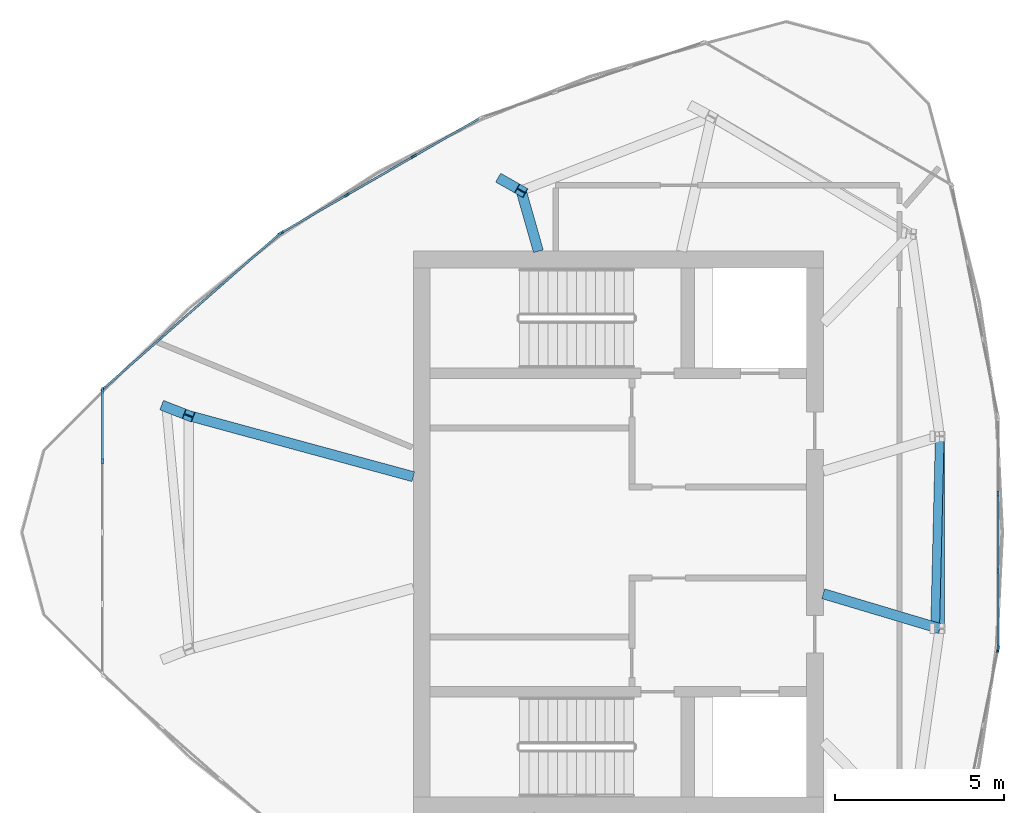
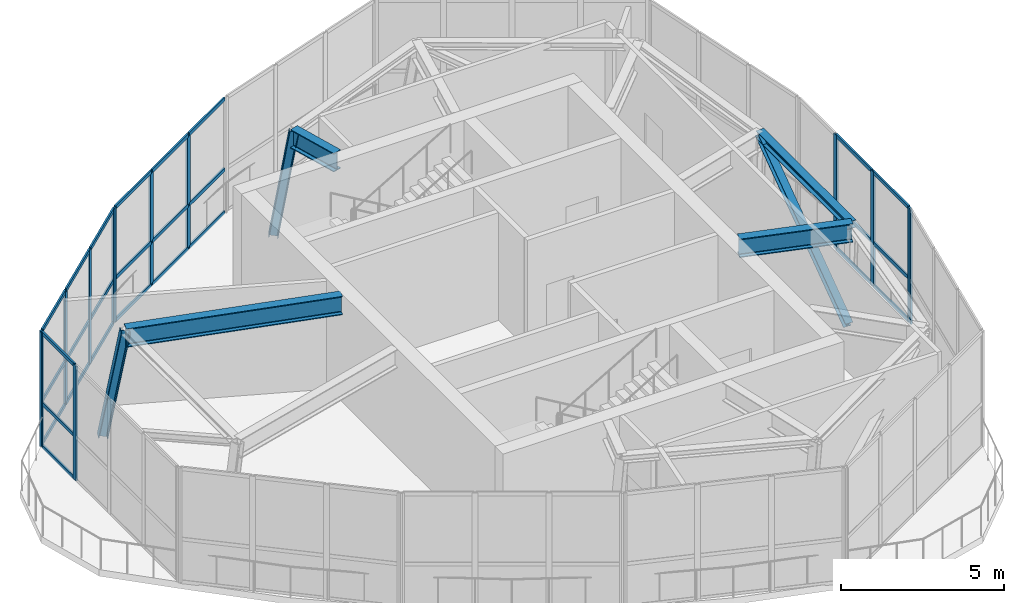
# One storey, part 3 of 10: 44 members, 3 beams, 5 elements without a shape of their own.
"""IFC4 building model written with IfcOpenShell, lengths in metres."""

from ifc_helpers import new_model, si_unit, direction, frame, origin, origin_2d, place, context, subcontext, project, spatial, rectangle, i_section, extrude, source, transform, mapped, material, layer, layer_set, material_profile, profile_set, type_object, element, aggregate, save


model = new_model("IFC4")

# Units and contexts
model_context = context("Model", 3, precision=1e-05, world=origin(), true_north=direction((0.0, 1.0)))
body_context = subcontext(model_context, "Body", "Model", "MODEL_VIEW")
ifc_project = project(units=[si_unit("LENGTHUNIT", "METRE"), si_unit("AREAUNIT", "SQUARE_METRE"), si_unit("VOLUMEUNIT", "CUBIC_METRE"), si_unit("PLANEANGLEUNIT", "RADIAN"), si_unit("MASSUNIT", "GRAM", prefix="KILO")], contexts=[model_context])

# Site, building, storey
site_placement = place(None, origin())
site = spatial("IfcSite", under=ifc_project, at=site_placement, CompositionType="ELEMENT")
building_placement = place(site_placement, origin())
building = spatial("IfcBuilding", under=site, at=building_placement, Name="Qafzar Sky-Pleat Residences", CompositionType="ELEMENT")
storey_placement = place(building_placement, frame((0.0, 0.0, 261.800048828125)))
storey = spatial("IfcBuildingStorey", under=building, at=storey_placement, Name="L78 Crown", CompositionType="ELEMENT", Elevation=261.800048828125)

# Members
ifc_material_1 = material(Name="Steel S460", Category="steel")
ifc_material_profile_1 = material_profile(ifc_material_1, i_section(OverallWidth=0.300048828125, OverallDepth=0.300048828125, WebThickness=0.010986328125, FlangeThickness=0.01904296875, FilletRadius=0.027099609375, at=origin_2d()), Name="HEB 300")
ifc_profile_set_1 = profile_set([ifc_material_profile_1], Name="Steel S460")
member_type_1 = type_object("IfcMemberType", Name="MEM-CROWN-RIB", PredefinedType="CHORD", material=ifc_profile_set_1)
shared_shape_1 = source(origin(), body_context, "Body", "SweptSolid", [
    extrude(i_section(OverallWidth=0.300048828125, OverallDepth=0.300048828125, WebThickness=0.010986328125, FlangeThickness=0.01904296875, FilletRadius=0.027099609375, at=origin_2d()), origin(), (0.0, 0.0, 1.0), 3.95947265625),
])
member_1_placement = place(storey_placement, frame((17.010498046875, 29.706298828125, 0.0), z_axis=(0.166110846077, -0.06498917289, 0.983963207759), x_axis=(0.364347212595, 0.931263179061, 0.0)))
element("IfcMember", 1, at=member_1_placement, inside=storey, type_object=member_type_1, Name="L78 Crown CROWN FRAME Inclined Rib 1", PredefinedType="CHORD", context=body_context, shape_type="MappedRepresentation", body=[
    mapped(shared_shape_1, transform((0.0, 0.0, 0.0), x_axis=(1.0, 0.0, 0.0), y_axis=(0.0, 1.0, 0.0), z_axis=(0.0, 0.0, 1.0), scale=1.0)),
])
shared_shape_2 = source(origin(), body_context, "Body", "SweptSolid", [
    extrude(i_section(OverallWidth=0.300048828125, OverallDepth=0.300048828125, WebThickness=0.010986328125, FlangeThickness=0.01904296875, FilletRadius=0.027099609375, at=origin_2d()), origin(), (0.0, 0.0, 1.0), 3.947265625),
])
member_2_placement = place(storey_placement, frame((26.93310546875, 36.399169921875, 0.0), z_axis=(0.139718338634, -0.079476788466, 0.986996568355), x_axis=(0.494439048005, 0.86921230307, 0.0)))
element("IfcMember", 2, at=member_2_placement, inside=storey, type_object=member_type_1, Name="L78 Crown CROWN FRAME Inclined Rib 11", PredefinedType="CHORD", context=body_context, shape_type="MappedRepresentation", body=[
    mapped(shared_shape_2, transform((0.0, 0.0, 0.0), x_axis=(1.0, 0.0, 0.0), y_axis=(0.0, 1.0, 0.0), z_axis=(0.0, 0.0, 1.0), scale=1.0)),
])
ifc_material_2 = material(Name="Steel S355", Category="steel")
ifc_material_profile_2 = material_profile(ifc_material_2, i_section(OverallWidth=0.280029296875, OverallDepth=0.280029296875, WebThickness=0.010498046875, FlangeThickness=0.01806640625, FilletRadius=0.02392578125, at=origin_2d()), Name="HEB 280")
ifc_profile_set_2 = profile_set([ifc_material_profile_2], Name="Steel S355")
member_type_2 = type_object("IfcMemberType", Name="MEM-CROWN-RING", PredefinedType="PURLIN", material=ifc_profile_set_2)
shared_shape_3 = source(origin(), body_context, "Body", "SweptSolid", [
    extrude(i_section(OverallWidth=0.280029296875, OverallDepth=0.280029296875, WebThickness=0.010498046875, FlangeThickness=0.01806640625, FilletRadius=0.02392578125, at=origin_2d()), origin(), (0.0, 0.0, 1.0), 5.671875),
])
member_3_placement = place(storey_placement, frame((39.837158203125, 23.1640625, 3.906005859375), z_axis=(0.0, 1.0, 0.0), x_axis=(-1.0, 0.0, 0.0)))
element("IfcMember", 3, at=member_3_placement, inside=storey, type_object=member_type_2, Name="L78 Crown CROWN FRAME Ring Beam 7", PredefinedType="PURLIN", context=body_context, shape_type="MappedRepresentation", body=[
    mapped(shared_shape_3, transform((0.0, 0.0, 0.0), x_axis=(1.0, 0.0, 0.0), y_axis=(0.0, 1.0, 0.0), z_axis=(0.0, 0.0, 1.0), scale=1.0)),
])
ifc_material_profile_3 = material_profile(ifc_material_2, i_section(OverallWidth=0.260009765625, OverallDepth=0.260009765625, WebThickness=0.010009765625, FlangeThickness=0.017578125, FilletRadius=0.02392578125, at=origin_2d()), Name="HEB 260")
ifc_profile_set_3 = profile_set([ifc_material_profile_3], Name="Steel S355")
member_type_3 = type_object("IfcMemberType", Name="MEM-CROWN-DIAG", PredefinedType="BRACE", material=ifc_profile_set_3)
shared_shape_4 = source(origin(), body_context, "Body", "SweptSolid", [
    extrude(i_section(OverallWidth=0.260009765625, OverallDepth=0.260009765625, WebThickness=0.010009765625, FlangeThickness=0.017578125, FilletRadius=0.02392578125, at=origin_2d()), origin(), (0.0, 0.0, 1.0), 6.783203125),
])
member_4_placement = place(storey_placement, frame((39.70068359375, 23.162841796875, 0.199951171875), z_axis=(0.020119508415, 0.836345289888, 0.54783369873), x_axis=(-0.999710768856, 0.0240495038, 0.0)))
element("IfcMember", 4, at=member_4_placement, inside=storey, type_object=member_type_3, Name="L78 Crown CROWN FRAME Wind Brace 7", PredefinedType="BRACE", context=body_context, shape_type="MappedRepresentation", body=[
    mapped(shared_shape_4, transform((0.0, 0.0, 0.0), x_axis=(1.0, 0.0, 0.0), y_axis=(0.0, 1.0, 0.0), z_axis=(0.0, 0.0, 1.0), scale=1.0)),
])

# Beams
ifc_material_profile_4 = material_profile(ifc_material_1, i_section(OverallWidth=0.300048828125, OverallDepth=0.699951171875, WebThickness=0.01708984375, FlangeThickness=0.031982421875, FilletRadius=0.027099609375, at=origin_2d()), Name="HEB 700")
ifc_profile_set_4 = profile_set([ifc_material_profile_4], Name="Steel S460")
beam_type = type_object("IfcBeamType", Name="BM-CHORD-HEB700", PredefinedType="BEAM", material=ifc_profile_set_4)
shared_shape_5 = source(origin(), body_context, "Body", "SweptSolid", [
    extrude(i_section(OverallWidth=0.300048828125, OverallDepth=0.699951171875, WebThickness=0.01708984375, FlangeThickness=0.031982421875, FilletRadius=0.027099609375, at=origin_2d()), origin(), (0.0, 0.0, 1.0), 6.872802734375),
])
beam_1_placement = place(storey_placement, frame((17.668212890625, 29.448974609375, 3.697998046875), z_axis=(0.964947212963, -0.262444043932, 0.0), x_axis=(0.262444043932, 0.964947212963, 0.0)))
element("IfcBeam", 5, at=beam_1_placement, inside=storey, type_object=beam_type, Name="L79 Crown Crown Rib Base Transfer Beam 1", PredefinedType="BEAM", context=body_context, shape_type="MappedRepresentation", body=[
    mapped(shared_shape_5, transform((0.0, 0.0, 0.0), x_axis=(1.0, 0.0, 0.0), y_axis=(0.0, 1.0, 0.0), z_axis=(0.0, 0.0, 1.0), scale=1.0)),
])
shared_shape_6 = source(origin(), body_context, "Body", "SweptSolid", [
    extrude(i_section(OverallWidth=0.300048828125, OverallDepth=0.699951171875, WebThickness=0.01708984375, FlangeThickness=0.031982421875, FilletRadius=0.027099609375, at=origin_2d()), origin(), (0.0, 0.0, 1.0), 1.85595703125),
])
beam_2_placement = place(storey_placement, frame((27.484619140625, 36.08544921875, 3.697998046875), z_axis=(0.273209315348, -0.96195460912, 0.0), x_axis=(0.96195460912, 0.273209315348, 0.0)))
element("IfcBeam", 6, at=beam_2_placement, inside=storey, type_object=beam_type, Name="L79 Crown Crown Rib Base Transfer Beam 11", PredefinedType="BEAM", context=body_context, shape_type="MappedRepresentation", body=[
    mapped(shared_shape_6, transform((0.0, 0.0, 0.0), x_axis=(1.0, 0.0, 0.0), y_axis=(0.0, 1.0, 0.0), z_axis=(0.0, 0.0, 1.0), scale=1.0)),
])
shared_shape_7 = source(origin(), body_context, "Body", "SweptSolid", [
    extrude(i_section(OverallWidth=0.300048828125, OverallDepth=0.699951171875, WebThickness=0.01708984375, FlangeThickness=0.031982421875, FilletRadius=0.027099609375, at=origin_2d()), origin(), (0.0, 0.0, 1.0), 3.58740234375),
])
beam_3_placement = place(storey_placement, frame((39.837158203125, 23.1640625, 3.697998046875), z_axis=(-0.958119848048, 0.286367520462, 0.0), x_axis=(-0.286367520462, -0.958119848048, 0.0)))
element("IfcBeam", 7, at=beam_3_placement, inside=storey, type_object=beam_type, Name="L79 Crown Crown Rib Base Transfer Beam 7", PredefinedType="BEAM", context=body_context, shape_type="MappedRepresentation", body=[
    mapped(shared_shape_7, transform((0.0, 0.0, 0.0), x_axis=(1.0, 0.0, 0.0), y_axis=(0.0, 1.0, 0.0), z_axis=(0.0, 0.0, 1.0), scale=1.0)),
])

# Curtain wall, members
ifc_material_3 = material(Name="Anodised bronze aluminium framing", Category="aluminium")
ifc_layer = layer(ifc_material_3, 0.179931640625)
ifc_layer_set = layer_set([ifc_layer], Name="Anodised bronze aluminium framing")
curtain_wall_type = type_object("IfcCurtainWallType", Name="CW-SYS-06", PredefinedType="NOTDEFINED", material=ifc_layer_set)
curtain_wall_1_placement = place(storey_placement, origin())
curtain_wall_1 = element("IfcCurtainWall", 8, at=curtain_wall_1_placement, inside=storey, type_object=curtain_wall_type, Name="L78 Crown CW-06 Curtain Wall CW-CROWN-03-01", PredefinedType="NOTDEFINED")
ifc_material_4 = material(Name="Anodised bronze aluminium", Category="aluminium")
ifc_material_profile_5 = material_profile(ifc_material_4, rectangle(XDim=0.06005859375, YDim=0.179931640625, at=origin_2d()), Name="ALU MULLION 60x180")
ifc_profile_set_5 = profile_set([ifc_material_profile_5], Name="Anodised bronze aluminium")
member_type_4 = type_object("IfcMemberType", Name="CWM-06", PredefinedType="MULLION", material=ifc_profile_set_5)
shared_shape_8 = source(origin(), body_context, "Body", "SweptSolid", [
    extrude(rectangle(XDim=0.06005859375, YDim=0.179931640625, at=origin_2d()), origin(), (0.0, 0.0, 1.0), 4.300048828125),
])
member_5_placement = place(storey_placement, frame((15.12939453125, 30.189208984375, 0.0), z_axis=(0.0, 0.0, 1.0), x_axis=(1.0, 0.0, 0.0)))
member_5 = element("IfcMember", 9, at=member_5_placement, type_object=member_type_4, Name="CW-06 mullion 1", PredefinedType="MULLION", context=body_context, shape_type="MappedRepresentation", body=[
    mapped(shared_shape_8, transform((0.0, 0.0, 0.0), x_axis=(1.0, 0.0, 0.0), y_axis=(0.0, 1.0, 0.0), z_axis=(0.0, 0.0, 1.0), scale=1.0)),
])
member_6_placement = place(storey_placement, frame((15.12939453125, 28.109619140625, 0.0), z_axis=(0.0, 0.0, 1.0), x_axis=(1.0, 0.0, 0.0)))
member_6 = element("IfcMember", 10, at=member_6_placement, type_object=member_type_4, Name="CW-06 mullion 2", PredefinedType="MULLION", context=body_context, shape_type="MappedRepresentation", body=[
    mapped(shared_shape_8, transform((0.0, 0.0, 0.0), x_axis=(1.0, 0.0, 0.0), y_axis=(0.0, 1.0, 0.0), z_axis=(0.0, 0.0, 1.0), scale=1.0)),
])

# Curtain wall, member
curtain_wall_2_placement = place(storey_placement, origin())
curtain_wall_2 = element("IfcCurtainWall", 11, at=curtain_wall_2_placement, inside=storey, type_object=curtain_wall_type, Name="L78 Crown CW-06 Curtain Wall CW-CROWN-03-06", PredefinedType="NOTDEFINED")
member_7_placement = place(storey_placement, frame((41.556396484375, 22.552978515625, 0.0), z_axis=(0.0, 0.0, 1.0), x_axis=(-0.980581227468, 0.196113376234, 0.0)))
member_7 = element("IfcMember", 12, at=member_7_placement, type_object=member_type_4, Name="CW-06 mullion 4", PredefinedType="MULLION", context=body_context, shape_type="MappedRepresentation", body=[
    mapped(shared_shape_8, transform((0.0, 0.0, 0.0), x_axis=(1.0, 0.0, 0.0), y_axis=(0.0, 1.0, 0.0), z_axis=(0.0, 0.0, 1.0), scale=1.0)),
])
aggregate(curtain_wall_2, [member_7])

# Curtain wall, members
curtain_wall_3_placement = place(storey_placement, origin())
curtain_wall_3 = element("IfcCurtainWall", 13, at=curtain_wall_3_placement, inside=storey, type_object=curtain_wall_type, Name="L78 Crown CW-06 Curtain Wall CW-CROWN-03-07", PredefinedType="NOTDEFINED")
member_8_placement = place(storey_placement, frame((41.5625, 22.612548828125, 0.0), z_axis=(0.0, 0.0, 1.0), x_axis=(-1.0, 0.0, 0.0)))
member_8 = element("IfcMember", 14, at=member_8_placement, type_object=member_type_4, Name="CW-06 mullion 1", PredefinedType="MULLION", context=body_context, shape_type="MappedRepresentation", body=[
    mapped(shared_shape_8, transform((0.0, 0.0, 0.0), x_axis=(1.0, 0.0, 0.0), y_axis=(0.0, 1.0, 0.0), z_axis=(0.0, 0.0, 1.0), scale=1.0)),
])
member_9_placement = place(storey_placement, frame((41.5625, 24.86083984375, 0.0), z_axis=(0.0, 0.0, 1.0), x_axis=(-1.0, 0.0, 0.0)))
member_9 = element("IfcMember", 15, at=member_9_placement, type_object=member_type_4, Name="CW-06 mullion 2", PredefinedType="MULLION", context=body_context, shape_type="MappedRepresentation", body=[
    mapped(shared_shape_8, transform((0.0, 0.0, 0.0), x_axis=(1.0, 0.0, 0.0), y_axis=(0.0, 1.0, 0.0), z_axis=(0.0, 0.0, 1.0), scale=1.0)),
])
member_10_placement = place(storey_placement, frame((41.5625, 27.13916015625, 0.0), z_axis=(0.0, 0.0, 1.0), x_axis=(-1.0, 0.0, 0.0)))
member_10 = element("IfcMember", 16, at=member_10_placement, type_object=member_type_4, Name="CW-06 mullion 3", PredefinedType="MULLION", context=body_context, shape_type="MappedRepresentation", body=[
    mapped(shared_shape_8, transform((0.0, 0.0, 0.0), x_axis=(1.0, 0.0, 0.0), y_axis=(0.0, 1.0, 0.0), z_axis=(0.0, 0.0, 1.0), scale=1.0)),
])

curtain_wall_4_placement = place(storey_placement, origin())
curtain_wall_4 = element("IfcCurtainWall", 17, at=curtain_wall_4_placement, inside=storey, type_object=curtain_wall_type, Name="L78 Crown CW-06 Curtain Wall CW-CROWN-03-11", PredefinedType="NOTDEFINED")
member_11_placement = place(storey_placement, frame((24.311279296875, 37.09912109375, 0.0), z_axis=(0.0, 0.0, 1.0), x_axis=(0.499992628097, -0.866029659913, 0.0)))
member_11 = element("IfcMember", 18, at=member_11_placement, type_object=member_type_4, Name="CW-06 mullion 2", PredefinedType="MULLION", context=body_context, shape_type="MappedRepresentation", body=[
    mapped(shared_shape_8, transform((0.0, 0.0, 0.0), x_axis=(1.0, 0.0, 0.0), y_axis=(0.0, 1.0, 0.0), z_axis=(0.0, 0.0, 1.0), scale=1.0)),
])
member_12_placement = place(storey_placement, frame((22.338134765625, 35.9599609375, 0.0), z_axis=(0.0, 0.0, 1.0), x_axis=(0.499992628097, -0.866029659913, 0.0)))
member_12 = element("IfcMember", 19, at=member_12_placement, type_object=member_type_4, Name="CW-06 mullion 3", PredefinedType="MULLION", context=body_context, shape_type="MappedRepresentation", body=[
    mapped(shared_shape_8, transform((0.0, 0.0, 0.0), x_axis=(1.0, 0.0, 0.0), y_axis=(0.0, 1.0, 0.0), z_axis=(0.0, 0.0, 1.0), scale=1.0)),
])
member_13_placement = place(storey_placement, frame((20.39111328125, 34.835693359375, 0.0), z_axis=(0.0, 0.0, 1.0), x_axis=(0.499992628097, -0.866029659913, 0.0)))
member_13 = element("IfcMember", 20, at=member_13_placement, type_object=member_type_4, Name="CW-06 mullion 4", PredefinedType="MULLION", context=body_context, shape_type="MappedRepresentation", body=[
    mapped(shared_shape_8, transform((0.0, 0.0, 0.0), x_axis=(1.0, 0.0, 0.0), y_axis=(0.0, 1.0, 0.0), z_axis=(0.0, 0.0, 1.0), scale=1.0)),
])

curtain_wall_5_placement = place(storey_placement, origin())
curtain_wall_5 = element("IfcCurtainWall", 21, at=curtain_wall_5_placement, inside=storey, type_object=curtain_wall_type, Name="L78 Crown CW-06 Curtain Wall CW-CROWN-03-12", PredefinedType="NOTDEFINED")
member_14_placement = place(storey_placement, frame((20.342529296875, 34.80078125, 0.0), z_axis=(0.0, 0.0, 1.0), x_axis=(0.660134231558, -0.751147652812, 0.0)))
member_14 = element("IfcMember", 22, at=member_14_placement, type_object=member_type_4, Name="CW-06 mullion 1", PredefinedType="MULLION", context=body_context, shape_type="MappedRepresentation", body=[
    mapped(shared_shape_8, transform((0.0, 0.0, 0.0), x_axis=(1.0, 0.0, 0.0), y_axis=(0.0, 1.0, 0.0), z_axis=(0.0, 0.0, 1.0), scale=1.0)),
])
member_15_placement = place(storey_placement, frame((18.619873046875, 33.286865234375, 0.0), z_axis=(0.0, 0.0, 1.0), x_axis=(0.660134231558, -0.751147652812, 0.0)))
member_15 = element("IfcMember", 23, at=member_15_placement, type_object=member_type_4, Name="CW-06 mullion 2", PredefinedType="MULLION", context=body_context, shape_type="MappedRepresentation", body=[
    mapped(shared_shape_8, transform((0.0, 0.0, 0.0), x_axis=(1.0, 0.0, 0.0), y_axis=(0.0, 1.0, 0.0), z_axis=(0.0, 0.0, 1.0), scale=1.0)),
])
member_16_placement = place(storey_placement, frame((16.87451171875, 31.753173828125, 0.0), z_axis=(0.0, 0.0, 1.0), x_axis=(0.660134231558, -0.751147652812, 0.0)))
member_16 = element("IfcMember", 24, at=member_16_placement, type_object=member_type_4, Name="CW-06 mullion 3", PredefinedType="MULLION", context=body_context, shape_type="MappedRepresentation", body=[
    mapped(shared_shape_8, transform((0.0, 0.0, 0.0), x_axis=(1.0, 0.0, 0.0), y_axis=(0.0, 1.0, 0.0), z_axis=(0.0, 0.0, 1.0), scale=1.0)),
])
member_17_placement = place(storey_placement, frame((15.15185546875, 30.239013671875, 0.0), z_axis=(0.0, 0.0, 1.0), x_axis=(0.660134231558, -0.751147652812, 0.0)))
member_17 = element("IfcMember", 25, at=member_17_placement, type_object=member_type_4, Name="CW-06 mullion 4", PredefinedType="MULLION", context=body_context, shape_type="MappedRepresentation", body=[
    mapped(shared_shape_8, transform((0.0, 0.0, 0.0), x_axis=(1.0, 0.0, 0.0), y_axis=(0.0, 1.0, 0.0), z_axis=(0.0, 0.0, 1.0), scale=1.0)),
])

# Member
ifc_material_profile_6 = material_profile(ifc_material_4, rectangle(XDim=0.06005859375, YDim=0.135009765625, at=origin_2d()), Name="ALU TRANSOM 60x135")
ifc_profile_set_6 = profile_set([ifc_material_profile_6], Name="Anodised bronze aluminium")
member_type_5 = type_object("IfcMemberType", Name="CWT-06", PredefinedType="USERDEFINED", material=ifc_profile_set_6)
shared_shape_9 = source(origin(), body_context, "Body", "SweptSolid", [
    extrude(rectangle(XDim=0.06005859375, YDim=0.135009765625, at=origin_2d()), origin(), (0.0, 0.0, 1.0), 2.01953125),
])
member_18_placement = place(storey_placement, frame((15.12939453125, 30.1591796875, 0.030029296875), z_axis=(0.0, -1.0, 0.0), x_axis=(1.0, 0.0, 0.0)))
member_18 = element("IfcMember", 26, at=member_18_placement, type_object=member_type_5, Name="CW-06 transom 1.1", ObjectType="TRANSOM", PredefinedType="USERDEFINED", context=body_context, shape_type="MappedRepresentation", body=[
    mapped(shared_shape_9, transform((0.0, 0.0, 0.0), x_axis=(1.0, 0.0, 0.0), y_axis=(0.0, 1.0, 0.0), z_axis=(0.0, 0.0, 1.0), scale=1.0)),
])

member_19_placement = place(storey_placement, frame((15.12939453125, 30.1591796875, 1.634033203125), z_axis=(0.0, -1.0, 0.0), x_axis=(1.0, 0.0, 0.0)))
member_19 = element("IfcMember", 27, at=member_19_placement, type_object=member_type_5, Name="CW-06 transom 1.2", ObjectType="TRANSOM", PredefinedType="USERDEFINED", context=body_context, shape_type="MappedRepresentation", body=[
    mapped(shared_shape_9, transform((0.0, 0.0, 0.0), x_axis=(1.0, 0.0, 0.0), y_axis=(0.0, 1.0, 0.0), z_axis=(0.0, 0.0, 1.0), scale=1.0)),
])

member_20_placement = place(storey_placement, frame((15.12939453125, 30.1591796875, 4.27001953125), z_axis=(0.0, -1.0, 0.0), x_axis=(1.0, 0.0, 0.0)))
member_20 = element("IfcMember", 28, at=member_20_placement, type_object=member_type_5, Name="CW-06 transom 1.3", ObjectType="TRANSOM", PredefinedType="USERDEFINED", context=body_context, shape_type="MappedRepresentation", body=[
    mapped(shared_shape_9, transform((0.0, 0.0, 0.0), x_axis=(1.0, 0.0, 0.0), y_axis=(0.0, 1.0, 0.0), z_axis=(0.0, 0.0, 1.0), scale=1.0)),
])

aggregate(curtain_wall_1, [member_5, member_6, member_18, member_19, member_20])

shared_shape_10 = source(origin(), body_context, "Body", "SweptSolid", [
    extrude(rectangle(XDim=0.06005859375, YDim=0.135009765625, at=origin_2d()), origin(), (0.0, 0.0, 1.0), 2.233642578125),
])
member_21_placement = place(storey_placement, frame((16.85205078125, 31.7333984375, 0.030029296875), z_axis=(-0.751112341266, -0.660174409378, 0.0), x_axis=(0.660174409378, -0.751112341266, 0.0)))
member_21 = element("IfcMember", 29, at=member_21_placement, type_object=member_type_5, Name="CW-06 transom 3.1", ObjectType="TRANSOM", PredefinedType="USERDEFINED", context=body_context, shape_type="MappedRepresentation", body=[
    mapped(shared_shape_10, transform((0.0, 0.0, 0.0), x_axis=(1.0, 0.0, 0.0), y_axis=(0.0, 1.0, 0.0), z_axis=(0.0, 0.0, 1.0), scale=1.0)),
])

member_22_placement = place(storey_placement, frame((16.85205078125, 31.7333984375, 1.634033203125), z_axis=(-0.751112341266, -0.660174409378, 0.0), x_axis=(0.660174409378, -0.751112341266, 0.0)))
member_22 = element("IfcMember", 30, at=member_22_placement, type_object=member_type_5, Name="CW-06 transom 3.2", ObjectType="TRANSOM", PredefinedType="USERDEFINED", context=body_context, shape_type="MappedRepresentation", body=[
    mapped(shared_shape_10, transform((0.0, 0.0, 0.0), x_axis=(1.0, 0.0, 0.0), y_axis=(0.0, 1.0, 0.0), z_axis=(0.0, 0.0, 1.0), scale=1.0)),
])

member_23_placement = place(storey_placement, frame((16.85205078125, 31.7333984375, 4.27001953125), z_axis=(-0.751112341266, -0.660174409378, 0.0), x_axis=(0.660174409378, -0.751112341266, 0.0)))
member_23 = element("IfcMember", 31, at=member_23_placement, type_object=member_type_5, Name="CW-06 transom 3.3", ObjectType="TRANSOM", PredefinedType="USERDEFINED", context=body_context, shape_type="MappedRepresentation", body=[
    mapped(shared_shape_10, transform((0.0, 0.0, 0.0), x_axis=(1.0, 0.0, 0.0), y_axis=(0.0, 1.0, 0.0), z_axis=(0.0, 0.0, 1.0), scale=1.0)),
])

shared_shape_11 = source(origin(), body_context, "Body", "SweptSolid", [
    extrude(rectangle(XDim=0.06005859375, YDim=0.135009765625, at=origin_2d()), origin(), (0.0, 0.0, 1.0), 2.263427734375),
])
member_24_placement = place(storey_placement, frame((18.597412109375, 33.26708984375, 0.030029296875), z_axis=(-0.751158415452, -0.66012198486, 0.0), x_axis=(0.66012198486, -0.751158415452, 0.0)))
member_24 = element("IfcMember", 32, at=member_24_placement, type_object=member_type_5, Name="CW-06 transom 2.1", ObjectType="TRANSOM", PredefinedType="USERDEFINED", context=body_context, shape_type="MappedRepresentation", body=[
    mapped(shared_shape_11, transform((0.0, 0.0, 0.0), x_axis=(1.0, 0.0, 0.0), y_axis=(0.0, 1.0, 0.0), z_axis=(0.0, 0.0, 1.0), scale=1.0)),
])

member_25_placement = place(storey_placement, frame((18.597412109375, 33.26708984375, 1.634033203125), z_axis=(-0.751158415452, -0.66012198486, 0.0), x_axis=(0.66012198486, -0.751158415452, 0.0)))
member_25 = element("IfcMember", 33, at=member_25_placement, type_object=member_type_5, Name="CW-06 transom 2.2", ObjectType="TRANSOM", PredefinedType="USERDEFINED", context=body_context, shape_type="MappedRepresentation", body=[
    mapped(shared_shape_11, transform((0.0, 0.0, 0.0), x_axis=(1.0, 0.0, 0.0), y_axis=(0.0, 1.0, 0.0), z_axis=(0.0, 0.0, 1.0), scale=1.0)),
])

member_26_placement = place(storey_placement, frame((18.597412109375, 33.26708984375, 4.27001953125), z_axis=(-0.751158415452, -0.66012198486, 0.0), x_axis=(0.66012198486, -0.751158415452, 0.0)))
member_26 = element("IfcMember", 34, at=member_26_placement, type_object=member_type_5, Name="CW-06 transom 2.3", ObjectType="TRANSOM", PredefinedType="USERDEFINED", context=body_context, shape_type="MappedRepresentation", body=[
    mapped(shared_shape_11, transform((0.0, 0.0, 0.0), x_axis=(1.0, 0.0, 0.0), y_axis=(0.0, 1.0, 0.0), z_axis=(0.0, 0.0, 1.0), scale=1.0)),
])

shared_shape_12 = source(origin(), body_context, "Body", "SweptSolid", [
    extrude(rectangle(XDim=0.06005859375, YDim=0.135009765625, at=origin_2d()), origin(), (0.0, 0.0, 1.0), 2.2333984375),
])
member_27_placement = place(storey_placement, frame((20.320068359375, 34.781005859375, 0.030029296875), z_axis=(-0.751166540904, -0.660112738725, 0.0), x_axis=(0.660112738725, -0.751166540904, 0.0)))
member_27 = element("IfcMember", 35, at=member_27_placement, type_object=member_type_5, Name="CW-06 transom 1.1", ObjectType="TRANSOM", PredefinedType="USERDEFINED", context=body_context, shape_type="MappedRepresentation", body=[
    mapped(shared_shape_12, transform((0.0, 0.0, 0.0), x_axis=(1.0, 0.0, 0.0), y_axis=(0.0, 1.0, 0.0), z_axis=(0.0, 0.0, 1.0), scale=1.0)),
])

member_28_placement = place(storey_placement, frame((20.320068359375, 34.781005859375, 1.634033203125), z_axis=(-0.751166540904, -0.660112738725, 0.0), x_axis=(0.660112738725, -0.751166540904, 0.0)))
member_28 = element("IfcMember", 36, at=member_28_placement, type_object=member_type_5, Name="CW-06 transom 1.2", ObjectType="TRANSOM", PredefinedType="USERDEFINED", context=body_context, shape_type="MappedRepresentation", body=[
    mapped(shared_shape_12, transform((0.0, 0.0, 0.0), x_axis=(1.0, 0.0, 0.0), y_axis=(0.0, 1.0, 0.0), z_axis=(0.0, 0.0, 1.0), scale=1.0)),
])

member_29_placement = place(storey_placement, frame((20.320068359375, 34.781005859375, 4.27001953125), z_axis=(-0.751166540904, -0.660112738725, 0.0), x_axis=(0.660112738725, -0.751166540904, 0.0)))
member_29 = element("IfcMember", 37, at=member_29_placement, type_object=member_type_5, Name="CW-06 transom 1.3", ObjectType="TRANSOM", PredefinedType="USERDEFINED", context=body_context, shape_type="MappedRepresentation", body=[
    mapped(shared_shape_12, transform((0.0, 0.0, 0.0), x_axis=(1.0, 0.0, 0.0), y_axis=(0.0, 1.0, 0.0), z_axis=(0.0, 0.0, 1.0), scale=1.0)),
])

aggregate(curtain_wall_5, [member_14, member_15, member_16, member_17, member_27, member_28, member_29, member_24, member_25, member_26, member_21, member_22, member_23])

shared_shape_13 = source(origin(), body_context, "Body", "SweptSolid", [
    extrude(rectangle(XDim=0.06005859375, YDim=0.135009765625, at=origin_2d()), origin(), (0.0, 0.0, 1.0), 2.1884765625),
])
member_30_placement = place(storey_placement, frame((22.312255859375, 35.94482421875, 0.030029296875), z_axis=(-0.86602396135, -0.500002498361, 0.0), x_axis=(0.500002498361, -0.86602396135, 0.0)))
member_30 = element("IfcMember", 38, at=member_30_placement, type_object=member_type_5, Name="CW-06 transom 3.1", ObjectType="TRANSOM", PredefinedType="USERDEFINED", context=body_context, shape_type="MappedRepresentation", body=[
    mapped(shared_shape_13, transform((0.0, 0.0, 0.0), x_axis=(1.0, 0.0, 0.0), y_axis=(0.0, 1.0, 0.0), z_axis=(0.0, 0.0, 1.0), scale=1.0)),
])

member_31_placement = place(storey_placement, frame((22.312255859375, 35.94482421875, 1.634033203125), z_axis=(-0.86602396135, -0.500002498361, 0.0), x_axis=(0.500002498361, -0.86602396135, 0.0)))
member_31 = element("IfcMember", 39, at=member_31_placement, type_object=member_type_5, Name="CW-06 transom 3.2", ObjectType="TRANSOM", PredefinedType="USERDEFINED", context=body_context, shape_type="MappedRepresentation", body=[
    mapped(shared_shape_13, transform((0.0, 0.0, 0.0), x_axis=(1.0, 0.0, 0.0), y_axis=(0.0, 1.0, 0.0), z_axis=(0.0, 0.0, 1.0), scale=1.0)),
])

member_32_placement = place(storey_placement, frame((22.312255859375, 35.94482421875, 4.27001953125), z_axis=(-0.86602396135, -0.500002498361, 0.0), x_axis=(0.500002498361, -0.86602396135, 0.0)))
member_32 = element("IfcMember", 40, at=member_32_placement, type_object=member_type_5, Name="CW-06 transom 3.3", ObjectType="TRANSOM", PredefinedType="USERDEFINED", context=body_context, shape_type="MappedRepresentation", body=[
    mapped(shared_shape_13, transform((0.0, 0.0, 0.0), x_axis=(1.0, 0.0, 0.0), y_axis=(0.0, 1.0, 0.0), z_axis=(0.0, 0.0, 1.0), scale=1.0)),
])

shared_shape_14 = source(origin(), body_context, "Body", "SweptSolid", [
    extrude(rectangle(XDim=0.06005859375, YDim=0.135009765625, at=origin_2d()), origin(), (0.0, 0.0, 1.0), 2.21826171875),
])
member_33_placement = place(storey_placement, frame((41.5625, 24.890869140625, 0.030029296875), z_axis=(0.0, 1.0, 0.0), x_axis=(-1.0, 0.0, 0.0)))
member_33 = element("IfcMember", 41, at=member_33_placement, type_object=member_type_5, Name="CW-06 transom 2.1", ObjectType="TRANSOM", PredefinedType="USERDEFINED", context=body_context, shape_type="MappedRepresentation", body=[
    mapped(shared_shape_14, transform((0.0, 0.0, 0.0), x_axis=(1.0, 0.0, 0.0), y_axis=(0.0, 1.0, 0.0), z_axis=(0.0, 0.0, 1.0), scale=1.0)),
])

member_34_placement = place(storey_placement, frame((41.5625, 24.890869140625, 1.634033203125), z_axis=(0.0, 1.0, 0.0), x_axis=(-1.0, 0.0, 0.0)))
member_34 = element("IfcMember", 42, at=member_34_placement, type_object=member_type_5, Name="CW-06 transom 2.2", ObjectType="TRANSOM", PredefinedType="USERDEFINED", context=body_context, shape_type="MappedRepresentation", body=[
    mapped(shared_shape_14, transform((0.0, 0.0, 0.0), x_axis=(1.0, 0.0, 0.0), y_axis=(0.0, 1.0, 0.0), z_axis=(0.0, 0.0, 1.0), scale=1.0)),
])

member_35_placement = place(storey_placement, frame((41.5625, 24.890869140625, 4.27001953125), z_axis=(0.0, 1.0, 0.0), x_axis=(-1.0, 0.0, 0.0)))
member_35 = element("IfcMember", 43, at=member_35_placement, type_object=member_type_5, Name="CW-06 transom 2.3", ObjectType="TRANSOM", PredefinedType="USERDEFINED", context=body_context, shape_type="MappedRepresentation", body=[
    mapped(shared_shape_14, transform((0.0, 0.0, 0.0), x_axis=(1.0, 0.0, 0.0), y_axis=(0.0, 1.0, 0.0), z_axis=(0.0, 0.0, 1.0), scale=1.0)),
])

member_36_placement = place(storey_placement, frame((24.285400390625, 37.083984375, 0.030029296875), z_axis=(-0.866033470286, -0.49998602815, 0.0), x_axis=(0.49998602815, -0.866033470286, 0.0)))
member_36 = element("IfcMember", 44, at=member_36_placement, type_object=member_type_5, Name="CW-06 transom 2.1", ObjectType="TRANSOM", PredefinedType="USERDEFINED", context=body_context, shape_type="MappedRepresentation", body=[
    mapped(shared_shape_14, transform((0.0, 0.0, 0.0), x_axis=(1.0, 0.0, 0.0), y_axis=(0.0, 1.0, 0.0), z_axis=(0.0, 0.0, 1.0), scale=1.0)),
])

member_37_placement = place(storey_placement, frame((24.285400390625, 37.083984375, 1.634033203125), z_axis=(-0.866033470286, -0.49998602815, 0.0), x_axis=(0.49998602815, -0.866033470286, 0.0)))
member_37 = element("IfcMember", 45, at=member_37_placement, type_object=member_type_5, Name="CW-06 transom 2.2", ObjectType="TRANSOM", PredefinedType="USERDEFINED", context=body_context, shape_type="MappedRepresentation", body=[
    mapped(shared_shape_14, transform((0.0, 0.0, 0.0), x_axis=(1.0, 0.0, 0.0), y_axis=(0.0, 1.0, 0.0), z_axis=(0.0, 0.0, 1.0), scale=1.0)),
])

member_38_placement = place(storey_placement, frame((24.285400390625, 37.083984375, 4.27001953125), z_axis=(-0.866033470286, -0.49998602815, 0.0), x_axis=(0.49998602815, -0.866033470286, 0.0)))
member_38 = element("IfcMember", 46, at=member_38_placement, type_object=member_type_5, Name="CW-06 transom 2.3", ObjectType="TRANSOM", PredefinedType="USERDEFINED", context=body_context, shape_type="MappedRepresentation", body=[
    mapped(shared_shape_14, transform((0.0, 0.0, 0.0), x_axis=(1.0, 0.0, 0.0), y_axis=(0.0, 1.0, 0.0), z_axis=(0.0, 0.0, 1.0), scale=1.0)),
])

shared_shape_15 = source(origin(), body_context, "Body", "SweptSolid", [
    extrude(rectangle(XDim=0.06005859375, YDim=0.135009765625, at=origin_2d()), origin(), (0.0, 0.0, 1.0), 2.188232421875),
])
member_39_placement = place(storey_placement, frame((41.5625, 22.642578125, 0.030029296875), z_axis=(0.0, 1.0, 0.0), x_axis=(-1.0, 0.0, 0.0)))
member_39 = element("IfcMember", 47, at=member_39_placement, type_object=member_type_5, Name="CW-06 transom 1.1", ObjectType="TRANSOM", PredefinedType="USERDEFINED", context=body_context, shape_type="MappedRepresentation", body=[
    mapped(shared_shape_15, transform((0.0, 0.0, 0.0), x_axis=(1.0, 0.0, 0.0), y_axis=(0.0, 1.0, 0.0), z_axis=(0.0, 0.0, 1.0), scale=1.0)),
])

member_40_placement = place(storey_placement, frame((41.5625, 22.642578125, 1.634033203125), z_axis=(0.0, 1.0, 0.0), x_axis=(-1.0, 0.0, 0.0)))
member_40 = element("IfcMember", 48, at=member_40_placement, type_object=member_type_5, Name="CW-06 transom 1.2", ObjectType="TRANSOM", PredefinedType="USERDEFINED", context=body_context, shape_type="MappedRepresentation", body=[
    mapped(shared_shape_15, transform((0.0, 0.0, 0.0), x_axis=(1.0, 0.0, 0.0), y_axis=(0.0, 1.0, 0.0), z_axis=(0.0, 0.0, 1.0), scale=1.0)),
])

member_41_placement = place(storey_placement, frame((41.5625, 22.642578125, 4.27001953125), z_axis=(0.0, 1.0, 0.0), x_axis=(-1.0, 0.0, 0.0)))
member_41 = element("IfcMember", 49, at=member_41_placement, type_object=member_type_5, Name="CW-06 transom 1.3", ObjectType="TRANSOM", PredefinedType="USERDEFINED", context=body_context, shape_type="MappedRepresentation", body=[
    mapped(shared_shape_15, transform((0.0, 0.0, 0.0), x_axis=(1.0, 0.0, 0.0), y_axis=(0.0, 1.0, 0.0), z_axis=(0.0, 0.0, 1.0), scale=1.0)),
])

aggregate(curtain_wall_3, [member_8, member_9, member_10, member_39, member_40, member_41, member_33, member_34, member_35])

member_42_placement = place(storey_placement, frame((26.232421875, 38.208251953125, 0.030029296875), z_axis=(-0.865996067555, -0.500050808398, 0.0), x_axis=(0.500050808398, -0.865996067555, 0.0)))
member_42 = element("IfcMember", 50, at=member_42_placement, type_object=member_type_5, Name="CW-06 transom 1.1", ObjectType="TRANSOM", PredefinedType="USERDEFINED", context=body_context, shape_type="MappedRepresentation", body=[
    mapped(shared_shape_15, transform((0.0, 0.0, 0.0), x_axis=(1.0, 0.0, 0.0), y_axis=(0.0, 1.0, 0.0), z_axis=(0.0, 0.0, 1.0), scale=1.0)),
])

member_43_placement = place(storey_placement, frame((26.232421875, 38.208251953125, 1.634033203125), z_axis=(-0.865996067555, -0.500050808398, 0.0), x_axis=(0.500050808398, -0.865996067555, 0.0)))
member_43 = element("IfcMember", 51, at=member_43_placement, type_object=member_type_5, Name="CW-06 transom 1.2", ObjectType="TRANSOM", PredefinedType="USERDEFINED", context=body_context, shape_type="MappedRepresentation", body=[
    mapped(shared_shape_15, transform((0.0, 0.0, 0.0), x_axis=(1.0, 0.0, 0.0), y_axis=(0.0, 1.0, 0.0), z_axis=(0.0, 0.0, 1.0), scale=1.0)),
])

member_44_placement = place(storey_placement, frame((26.232421875, 38.208251953125, 4.27001953125), z_axis=(-0.865996067555, -0.500050808398, 0.0), x_axis=(0.500050808398, -0.865996067555, 0.0)))
member_44 = element("IfcMember", 52, at=member_44_placement, type_object=member_type_5, Name="CW-06 transom 1.3", ObjectType="TRANSOM", PredefinedType="USERDEFINED", context=body_context, shape_type="MappedRepresentation", body=[
    mapped(shared_shape_15, transform((0.0, 0.0, 0.0), x_axis=(1.0, 0.0, 0.0), y_axis=(0.0, 1.0, 0.0), z_axis=(0.0, 0.0, 1.0), scale=1.0)),
])

aggregate(curtain_wall_4, [member_11, member_12, member_13, member_42, member_43, member_44, member_36, member_37, member_38, member_30, member_31, member_32])

save(model, "model.ifc")
